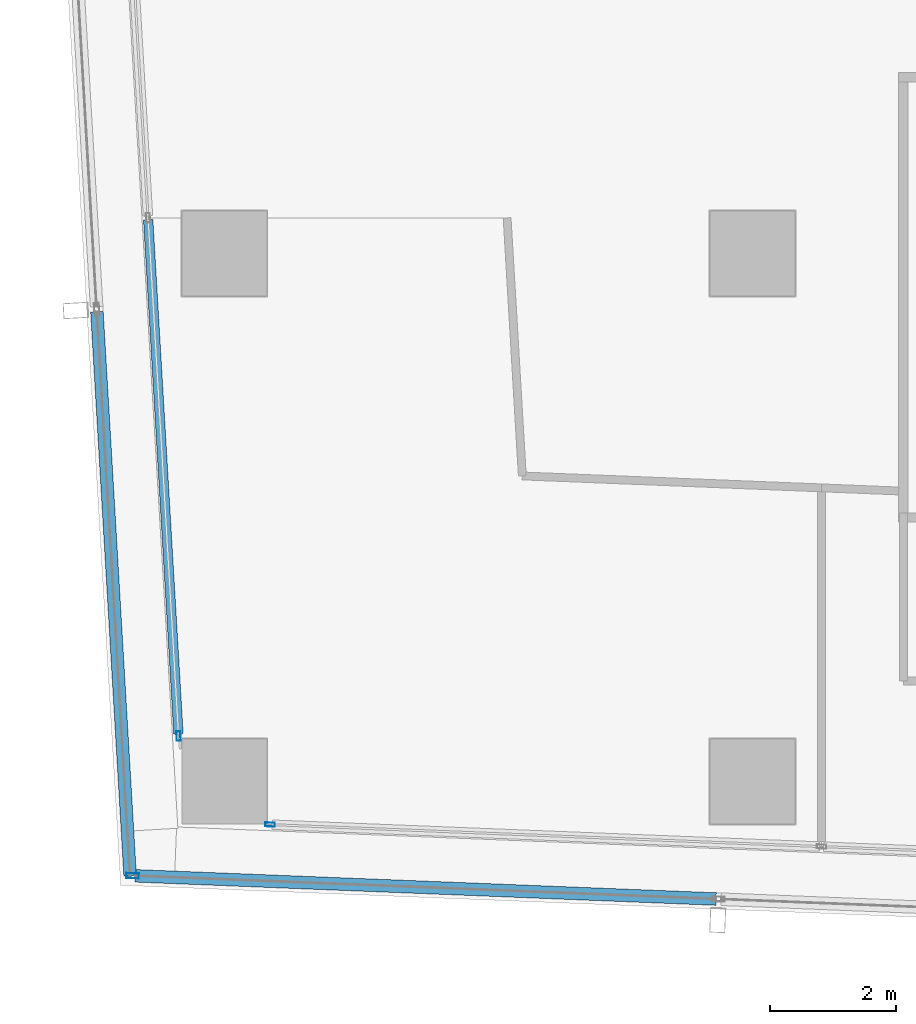
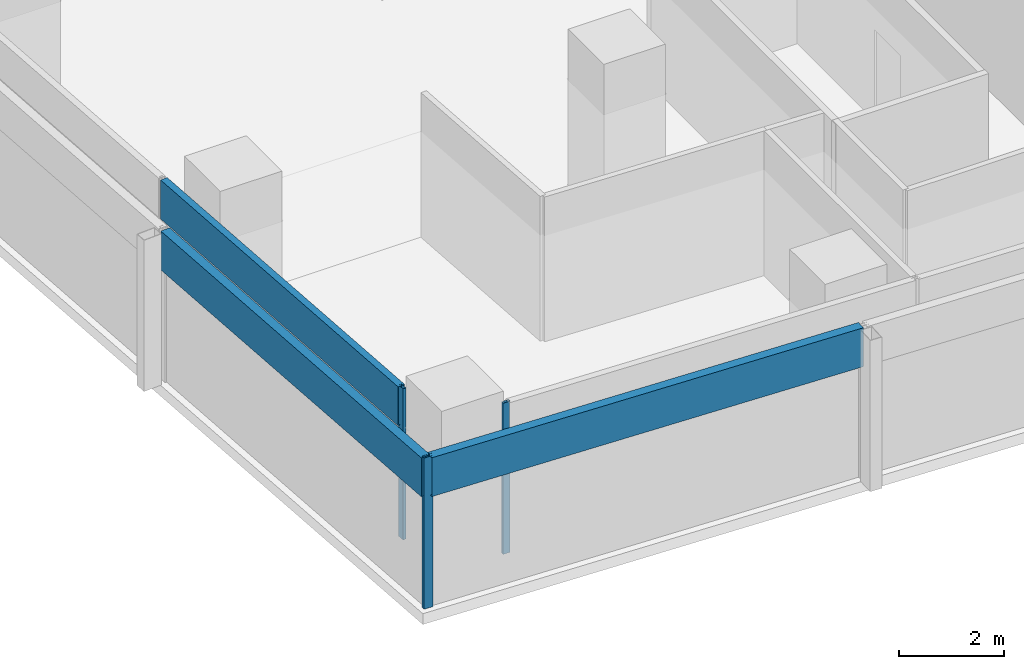
# One storey, part 2 of 40: 6 members, 4 elements without a shape of their own.
"""IFC4 building model written with IfcOpenShell, lengths in metres."""

from ifc_helpers import new_model, si_unit, direction, frame, origin, origin_2d, place, context, subcontext, project, spatial, hollow_rectangle, extrude, material, material_profile, profile_set, type_object, element, aggregate, save


model = new_model("IFC4")

# Units and contexts
model_context = context("Model", 3, precision=1e-05, world=origin(), true_north=direction((0.0, 1.0)))
body_context = subcontext(model_context, "Body", "Model", "MODEL_VIEW")
ifc_project = project(units=[si_unit("LENGTHUNIT", "METRE"), si_unit("AREAUNIT", "SQUARE_METRE"), si_unit("VOLUMEUNIT", "CUBIC_METRE"), si_unit("PLANEANGLEUNIT", "RADIAN"), si_unit("MASSUNIT", "GRAM", prefix="KILO")], contexts=[model_context])

# Site, building, storey
site_placement = place(None, origin())
site = spatial("IfcSite", under=ifc_project, at=site_placement, CompositionType="ELEMENT")
building_placement = place(site_placement, origin())
building = spatial("IfcBuilding", under=site, at=building_placement, Name="Rekha Terrace Tower", CompositionType="ELEMENT")
storey_placement = place(building_placement, frame((0.0, 0.0, 210.199951171875)))
storey = spatial("IfcBuildingStorey", under=building, at=storey_placement, Name="L53", CompositionType="ELEMENT", Elevation=210.199951171875)

# Curtain wall, member
ifc_material_1 = material(Name="Aluminium framing", Category="aluminium")
curtain_wall_type_1 = type_object("IfcCurtainWallType", Name="CW1 double skin inner glazing", PredefinedType="USERDEFINED", material=ifc_material_1)
curtain_wall_1_placement = place(storey_placement, origin())
curtain_wall_1 = element("IfcCurtainWall", 1, at=curtain_wall_1_placement, inside=storey, type_object=curtain_wall_type_1, Name="CW1 double skin inner glazing", ObjectType="DOUBLE SKIN INNER GLAZING", PredefinedType="USERDEFINED")
ifc_material_2 = material(Name="Aluminium mullion section", Category="aluminium")
ifc_material_profile_1 = material_profile(ifc_material_2, hollow_rectangle(XDim=0.06494140625, YDim=0.14990234375, WallThickness=0.00390625, at=origin_2d()), Name="AL RHS 65x150")
ifc_profile_set_1 = profile_set([ifc_material_profile_1], Name="Aluminium mullion section")
member_type_1 = type_object("IfcMemberType", Name="CW1 mullion RHS 65 x 150", PredefinedType="MULLION", material=ifc_profile_set_1)
member_1_placement = place(storey_placement, frame((9.127197265625, 16.115966796875, 0.0), z_axis=(0.0, 0.0, 1.0), x_axis=(0.039872497061, 0.999204775798, 0.0)))
member_1 = element("IfcMember", 2, at=member_1_placement, type_object=member_type_1, Name="CW1 mullion 1", PredefinedType="MULLION", context=body_context, shape_type="SweptSolid", body=[
    extrude(hollow_rectangle(XDim=0.06494140625, YDim=0.14990234375, WallThickness=0.00390625, at=origin_2d()), origin(), (0.0, 0.0, 1.0), 3.5),
])
aggregate(curtain_wall_1, [member_1])

# Curtain wall, members
curtain_wall_2_placement = place(storey_placement, origin())
curtain_wall_2 = element("IfcCurtainWall", 3, at=curtain_wall_2_placement, inside=storey, type_object=curtain_wall_type_1, Name="CW1 double skin inner glazing", ObjectType="DOUBLE SKIN INNER GLAZING", PredefinedType="USERDEFINED")
member_2_placement = place(storey_placement, frame((7.672119140625, 17.5244140625, 0.0), z_axis=(0.0, 0.0, 1.0), x_axis=(0.998271839269, 0.058765082516, 0.0)))
member_2 = element("IfcMember", 4, at=member_2_placement, type_object=member_type_1, Name="CW1 mullion 4", PredefinedType="MULLION", context=body_context, shape_type="SweptSolid", body=[
    extrude(hollow_rectangle(XDim=0.06494140625, YDim=0.14990234375, WallThickness=0.00390625, at=origin_2d()), origin(), (0.0, 0.0, 1.0), 3.5),
])
ifc_material_3 = material(Name="Insulated aluminium spandrel box", Category="aluminium")
ifc_material_profile_2 = material_profile(ifc_material_3, hollow_rectangle(XDim=0.14990234375, YDim=0.89990234375, WallThickness=0.0029296875, at=origin_2d()), Name="AL SPANDREL BOX 150x900")
ifc_profile_set_2 = profile_set([ifc_material_profile_2], Name="Insulated aluminium spandrel box")
member_type_2 = type_object("IfcMemberType", Name="CW1 spandrel transom 150 x 900", PredefinedType="USERDEFINED", material=ifc_profile_set_2)
member_3_placement = place(storey_placement, frame((7.188720703125, 25.733642578125, 3.050048828125), z_axis=(0.058777934282, -0.998271082643, 0.0), x_axis=(0.998271082643, 0.058777934282, 0.0)))
member_3 = element("IfcMember", 5, at=member_3_placement, type_object=member_type_2, Name="CW1 spandrel transom 3", ObjectType="TRANSOM", PredefinedType="USERDEFINED", context=body_context, shape_type="SweptSolid", body=[
    extrude(hollow_rectangle(XDim=0.14990234375, YDim=0.89990234375, WallThickness=0.0029296875, at=origin_2d()), origin(), (0.0, 0.0, 1.0), 8.19091796875),
])
aggregate(curtain_wall_2, [member_2, member_3])

curtain_wall_type_2 = type_object("IfcCurtainWallType", Name="CW2 double skin outer glazing", PredefinedType="USERDEFINED", material=ifc_material_1)
curtain_wall_3_placement = place(storey_placement, origin())
curtain_wall_3 = element("IfcCurtainWall", 6, at=curtain_wall_3_placement, inside=storey, type_object=curtain_wall_type_2, Name="CW2 double skin outer glazing", ObjectType="DOUBLE SKIN OUTER GLAZING", PredefinedType="USERDEFINED")
ifc_material_profile_3 = material_profile(ifc_material_2, hollow_rectangle(XDim=0.080078125, YDim=0.199951171875, WallThickness=0.00390625, at=origin_2d()), Name="AL RHS 80x200")
ifc_profile_set_3 = profile_set([ifc_material_profile_3], Name="Aluminium mullion section")
member_type_3 = type_object("IfcMemberType", Name="CW2 mullion RHS 80 x 200", PredefinedType="MULLION", material=ifc_profile_set_3)
member_4_placement = place(storey_placement, frame((6.941162109375, 15.302490234375, 0.0), z_axis=(0.0, 0.0, 1.0), x_axis=(0.039872497044, 0.999204775799, 0.0)))
member_4 = element("IfcMember", 7, at=member_4_placement, type_object=member_type_3, Name="CW2 mullion 1", PredefinedType="MULLION", context=body_context, shape_type="SweptSolid", body=[
    extrude(hollow_rectangle(XDim=0.080078125, YDim=0.199951171875, WallThickness=0.00390625, at=origin_2d()), origin(), (0.0, 0.0, 1.0), 3.5),
])
ifc_material_profile_4 = material_profile(ifc_material_3, hollow_rectangle(XDim=0.199951171875, YDim=0.89990234375, WallThickness=0.0029296875, at=origin_2d()), Name="AL SPANDREL BOX 200x900")
ifc_profile_set_4 = profile_set([ifc_material_profile_4], Name="Insulated aluminium spandrel box")
member_type_4 = type_object("IfcMemberType", Name="CW2 spandrel transom 200 x 900", PredefinedType="USERDEFINED", material=ifc_profile_set_4)
member_5_placement = place(storey_placement, frame((6.981201171875, 15.301025390625, 3.050048828125), z_axis=(0.999203782278, -0.039897386899, 0.0), x_axis=(0.039897386899, 0.999203782278, 0.0)))
member_5 = element("IfcMember", 8, at=member_5_placement, type_object=member_type_4, Name="CW2 spandrel transom 1", ObjectType="TRANSOM", PredefinedType="USERDEFINED", context=body_context, shape_type="SweptSolid", body=[
    extrude(hollow_rectangle(XDim=0.199951171875, YDim=0.89990234375, WallThickness=0.0029296875, at=origin_2d()), origin(), (0.0, 0.0, 1.0), 9.24609375),
])
aggregate(curtain_wall_3, [member_4, member_5])

# Curtain wall, member
curtain_wall_4_placement = place(storey_placement, origin())
curtain_wall_4 = element("IfcCurtainWall", 9, at=curtain_wall_4_placement, inside=storey, type_object=curtain_wall_type_2, Name="CW2 double skin outer glazing", ObjectType="DOUBLE SKIN OUTER GLAZING", PredefinedType="USERDEFINED")
member_6_placement = place(storey_placement, frame((6.373291015625, 24.27197265625, 3.050048828125), z_axis=(0.058757071111, -0.998272310842, 0.0), x_axis=(0.998272310842, 0.058757071111, 0.0)))
member_6 = element("IfcMember", 10, at=member_6_placement, type_object=member_type_4, Name="CW2 spandrel transom 3", ObjectType="TRANSOM", PredefinedType="USERDEFINED", context=body_context, shape_type="SweptSolid", body=[
    extrude(hollow_rectangle(XDim=0.199951171875, YDim=0.89990234375, WallThickness=0.0029296875, at=origin_2d()), origin(), (0.0, 0.0, 1.0), 8.9833984375),
])
aggregate(curtain_wall_4, [member_6])

save(model, "model.ifc")
